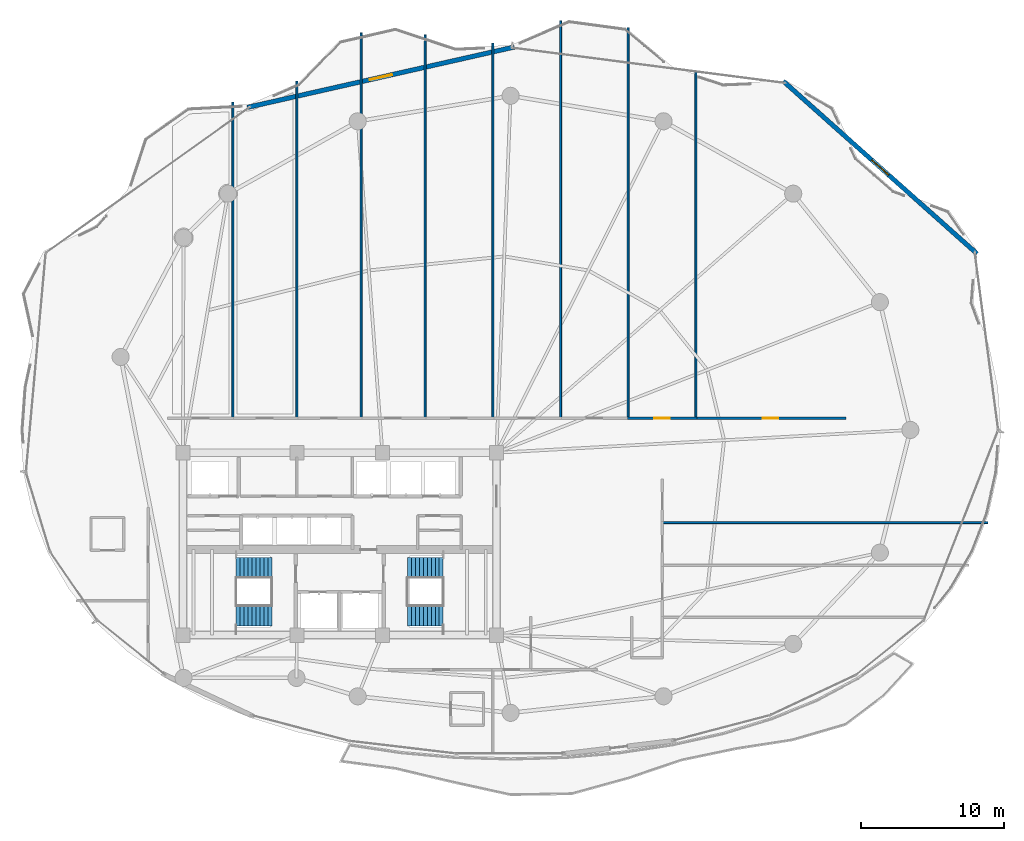
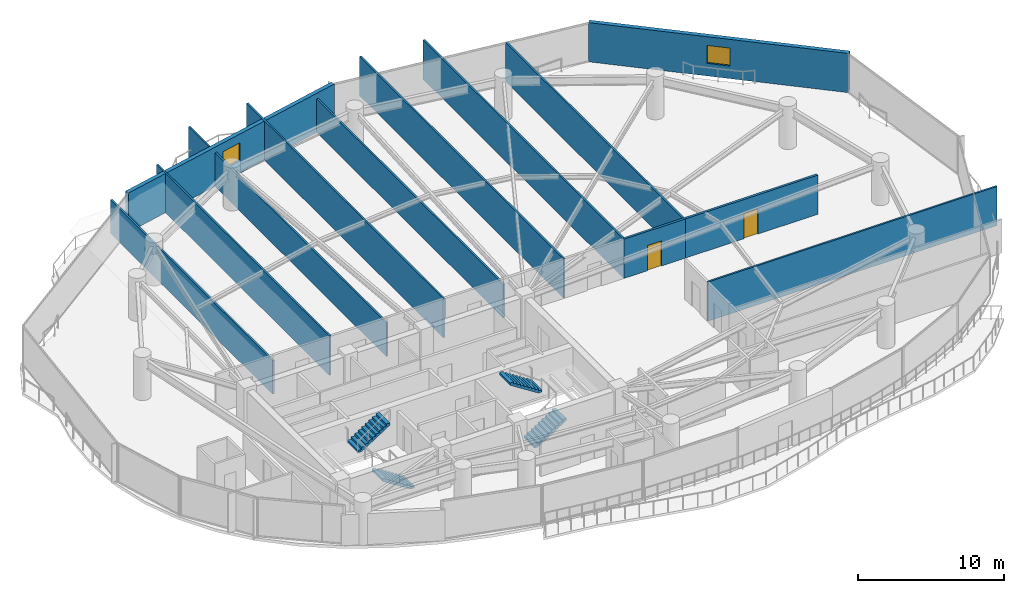
# One storey, part 28 of 33: 13 walls, 4 stair flights, 2 doors, 2 windows, 4 openings, 2 elements without a shape of their own.
"""IFC4 building model written with IfcOpenShell, lengths in metres."""

from ifc_helpers import new_model, si_unit, direction, frame, frame_2d, origin, place, context, subcontext, project, spatial, polyline, rectangle, outline, extrude, material, layer, layer_set, type_object, element, fill, aggregate, save


model = new_model("IFC4")

# Units and contexts
model_context = context("Model", 3, precision=1e-05, world=origin(), true_north=direction((0.0, 1.0)))
body_context = subcontext(model_context, "Body", "Model", "MODEL_VIEW")
ifc_project = project(units=[si_unit("LENGTHUNIT", "METRE"), si_unit("AREAUNIT", "SQUARE_METRE"), si_unit("VOLUMEUNIT", "CUBIC_METRE"), si_unit("PLANEANGLEUNIT", "RADIAN"), si_unit("MASSUNIT", "GRAM", prefix="KILO")], contexts=[model_context])

# Site, building, storey
site_placement = place(None, origin())
site = spatial("IfcSite", under=ifc_project, at=site_placement, CompositionType="ELEMENT")
building_placement = place(site_placement, origin())
building = spatial("IfcBuilding", under=site, at=building_placement, Name="Kazevale Care Tower and Concert Hall", CompositionType="ELEMENT")
storey_placement = place(building_placement, frame((0.0, 0.0, 178.199951171875)))
storey = spatial("IfcBuildingStorey", under=building, at=storey_placement, Name="L47", CompositionType="ELEMENT", Elevation=178.199951171875)

# Walls
ifc_material_1 = material(Name="Acoustic Gypsum on Steel Stud", Category="steel")
ifc_layer_1 = layer(ifc_material_1, 0.139892578125)
ifc_layer_set_1 = layer_set([ifc_layer_1], Name="Acoustic Gypsum on Steel Stud")
wall_type_1 = type_object("IfcWallType", Name="Acoustic Care & Suite Partition 140", PredefinedType="PARTITIONING", material=ifc_layer_set_1)
wall_1_placement = place(storey_placement, frame((25.5, 60.9990234375, 0.0), z_axis=(0.0, 0.0, 1.0), x_axis=(0.0, -1.0, 0.0)))
element("IfcWall", 1, at=wall_1_placement, inside=storey, type_object=wall_type_1, Name="wall:L47:auto_021", PredefinedType="PARTITIONING", context=body_context, shape_type="SweptSolid", body=[
    extrude(rectangle(XDim=22.2041015625, YDim=0.139892578125, at=frame_2d((11.10205078125, 0.0))), origin(), (0.0, 0.0, 1.0), 2.81005859375),
])
wall_2_placement = place(storey_placement, frame((30.0, 62.47802734375, 0.0), z_axis=(0.0, 0.0, 1.0), x_axis=(0.0, -1.0, 0.0)))
element("IfcWall", 2, at=wall_2_placement, inside=storey, type_object=wall_type_1, Name="wall:L47:auto_022", PredefinedType="PARTITIONING", context=body_context, shape_type="SweptSolid", body=[
    extrude(rectangle(XDim=23.68310546875, YDim=0.139892578125, at=frame_2d((11.841552734375, 0.0))), origin(), (0.0, 0.0, 1.0), 3.280029296875),
])
wall_3_placement = place(storey_placement, frame((34.5, 65.865966796875, 0.0), z_axis=(0.0, 0.0, 1.0), x_axis=(0.0, -1.0, 0.0)))
element("IfcWall", 3, at=wall_3_placement, inside=storey, type_object=wall_type_1, Name="wall:L47:auto_023", PredefinedType="PARTITIONING", context=body_context, shape_type="SweptSolid", body=[
    extrude(rectangle(XDim=27.071044921875, YDim=0.139892578125, at=frame_2d((13.53564453125, 0.0))), origin(), (0.0, 0.0, 1.0), 2.81005859375),
])
wall_4_placement = place(storey_placement, frame((39.0, 65.72802734375, 0.0), z_axis=(0.0, 0.0, 1.0), x_axis=(0.0, -1.0, 0.0)))
element("IfcWall", 4, at=wall_4_placement, inside=storey, type_object=wall_type_1, Name="wall:L47:auto_024", PredefinedType="PARTITIONING", context=body_context, shape_type="SweptSolid", body=[
    extrude(rectangle(XDim=26.93310546875, YDim=0.139892578125, at=frame_2d((13.466552734375, 0.0))), origin(), (0.0, 0.0, 1.0), 3.280029296875),
])
wall_5_placement = place(storey_placement, frame((43.75, 65.14501953125, 0.0), z_axis=(0.0, 0.0, 1.0), x_axis=(0.0, -1.0, 0.0)))
element("IfcWall", 5, at=wall_5_placement, inside=storey, type_object=wall_type_1, Name="wall:L47:auto_025", PredefinedType="PARTITIONING", context=body_context, shape_type="SweptSolid", body=[
    extrude(rectangle(XDim=26.35009765625, YDim=0.139892578125, at=frame_2d((13.175048828125, 0.0))), origin(), (0.0, 0.0, 1.0), 2.81005859375),
])
wall_6_placement = place(storey_placement, frame((48.5, 66.7041015625, 0.0), z_axis=(0.0, 0.0, 1.0), x_axis=(0.0, -1.0, 0.0)))
element("IfcWall", 6, at=wall_6_placement, inside=storey, type_object=wall_type_1, Name="wall:L47:auto_026", PredefinedType="PARTITIONING", context=body_context, shape_type="SweptSolid", body=[
    extrude(rectangle(XDim=27.9091796875, YDim=0.139892578125, at=frame_2d((13.95458984375, 0.0))), origin(), (0.0, 0.0, 1.0), 3.280029296875),
])
wall_7_placement = place(storey_placement, frame((53.25, 66.23388671875, 0.0), z_axis=(0.0, 0.0, 1.0), x_axis=(0.0, -1.0, 0.0)))
element("IfcWall", 7, at=wall_7_placement, inside=storey, type_object=wall_type_1, Name="wall:L47:auto_027", PredefinedType="PARTITIONING", context=body_context, shape_type="SweptSolid", body=[
    extrude(rectangle(XDim=27.43896484375, YDim=0.139892578125, at=frame_2d((13.719482421875, 0.0))), origin(), (0.0, 0.0, 1.0), 3.280029296875),
])
wall_8_placement = place(storey_placement, frame((58.0, 63.14306640625, 0.0), z_axis=(0.0, 0.0, 1.0), x_axis=(0.0, -1.0, 0.0)))
element("IfcWall", 8, at=wall_8_placement, inside=storey, type_object=wall_type_1, Name="wall:L47:auto_028", PredefinedType="PARTITIONING", context=body_context, shape_type="SweptSolid", body=[
    extrude(rectangle(XDim=24.34814453125, YDim=0.139892578125, at=frame_2d((12.174072265625, 0.0))), origin(), (0.0, 0.0, 1.0), 3.280029296875),
])
wall_9_placement = place(storey_placement, frame((55.6201171875, 31.5, 0.0), z_axis=(0.0, 0.0, 1.0), x_axis=(1.0, 0.0, 0.0)))
element("IfcWall", 9, at=wall_9_placement, inside=storey, type_object=wall_type_1, Name="wall:L47:auto_032", PredefinedType="PARTITIONING", context=body_context, shape_type="SweptSolid", body=[
    extrude(rectangle(XDim=22.869873046875, YDim=0.139892578125, at=frame_2d((11.43505859375, 0.0))), origin(), (0.0, 0.0, 1.0), 3.280029296875),
])

# Wall, opening, door
ifc_material_2 = material(Name="Concrete C40 and Acoustic Gypsum", Category="concrete")
ifc_layer_2 = layer(ifc_material_2, 0.179931640625)
ifc_layer_set_2 = layer_set([ifc_layer_2], Name="Concrete C40 and Acoustic Gypsum")
wall_type_2 = type_object("IfcWallType", Name="Fire-Rated Corridor & Party Wall 180", PredefinedType="PARTITIONING", material=ifc_layer_set_2)
wall_10_placement = place(storey_placement, frame((53.18505859375, 38.824951171875, 0.0), z_axis=(0.0, 0.0, 1.0), x_axis=(1.0, 0.0, 0.0)))
wall_10 = element("IfcWall", 10, at=wall_10_placement, inside=storey, type_object=wall_type_2, Name="wall:L47:auto_008", PredefinedType="PARTITIONING", context=body_context, shape_type="SweptSolid", body=[
    extrude(rectangle(XDim=4.8798828125, YDim=0.179931640625, at=frame_2d((2.43994140625, 0.0))), origin(), (0.0, 0.0, 1.0), 3.280029296875),
])
opening_1_placement = place(wall_10_placement, frame((1.889892578125, 0.0, 0.0)))
opening_1 = element("IfcOpeningElement", 11, at=opening_1_placement, cuts=wall_10, Name="Opening ID-1100", PredefinedType="OPENING", context=body_context, shape_type="SweptSolid", body=[
    extrude(rectangle(XDim=1.10009765625, YDim=2.10009765625, at=frame_2d((0.550048828125, 1.050048828125))), frame((0.0, 0.099853515625, 0.0), z_axis=(0.0, -1.0, 0.0), x_axis=(1.0, 0.0, 0.0)), (0.0, 0.0, 1.0), 0.199951171875),
])
ifc_material_3 = material(Name="Oak Timber Fire Leaf", Category="wood")
door_type = type_object("IfcDoorType", Name="Care Bedroom Accessible Door 1100x2100", OperationType="NOTDEFINED", PredefinedType="DOOR", material=ifc_material_3)
door_1_placement = place(opening_1_placement, origin())
door_1 = element("IfcDoor", 12, at=door_1_placement, inside=storey, type_object=door_type, Name="door:L47:ad_008", OperationType="SINGLE_SWING_LEFT", OverallHeight=2.10009765625, OverallWidth=1.10009765625, PredefinedType="DOOR", context=body_context, shape_type="SweptSolid", body=[
    extrude(rectangle(XDim=1.10009765625, YDim=2.10009765625, at=frame_2d((0.550048828125, 1.050048828125))), frame((0.0, 0.02490234375, 0.0), z_axis=(0.0, -1.0, 0.0), x_axis=(1.0, 0.0, 0.0)), (0.0, 0.0, 1.0), 0.050048828125),
])
fill(opening_1, door_1)

wall_11_placement = place(storey_placement, frame((57.93505859375, 38.824951171875, 0.0), z_axis=(0.0, 0.0, 1.0), x_axis=(1.0, 0.0, 0.0)))
wall_11 = element("IfcWall", 13, at=wall_11_placement, inside=storey, type_object=wall_type_2, Name="wall:L47:auto_009", PredefinedType="PARTITIONING", context=body_context, shape_type="SweptSolid", body=[
    extrude(rectangle(XDim=10.594970703125, YDim=0.179931640625, at=frame_2d((5.29736328125, 0.0))), origin(), (0.0, 0.0, 1.0), 3.280029296875),
])
opening_2_placement = place(wall_11_placement, frame((4.748046875, 0.0, 0.0)))
opening_2 = element("IfcOpeningElement", 14, at=opening_2_placement, cuts=wall_11, Name="Opening ID-1100", PredefinedType="OPENING", context=body_context, shape_type="SweptSolid", body=[
    extrude(rectangle(XDim=1.10009765625, YDim=2.10009765625, at=frame_2d((0.550048828125, 1.050048828125))), frame((0.0, 0.099853515625, 0.0), z_axis=(0.0, -1.0, 0.0), x_axis=(1.0, 0.0, 0.0)), (0.0, 0.0, 1.0), 0.199951171875),
])
door_2_placement = place(opening_2_placement, origin())
door_2 = element("IfcDoor", 15, at=door_2_placement, inside=storey, type_object=door_type, Name="door:L47:ad_009", OperationType="SINGLE_SWING_LEFT", OverallHeight=2.10009765625, OverallWidth=1.10009765625, PredefinedType="DOOR", context=body_context, shape_type="SweptSolid", body=[
    extrude(rectangle(XDim=1.10009765625, YDim=2.10009765625, at=frame_2d((0.550048828125, 1.050048828125))), frame((0.0, 0.02490234375, 0.0), z_axis=(0.0, -1.0, 0.0), x_axis=(1.0, 0.0, 0.0)), (0.0, 0.0, 1.0), 0.050048828125),
])
fill(opening_2, door_2)

# Wall, opening, window
ifc_material_4 = material(Name="Concrete C40 with Honed Limestone Cladding", Category="masonry")
ifc_layer_3 = layer(ifc_material_4, 0.320068359375)
ifc_layer_set_3 = layer_set([ifc_layer_3], Name="Concrete C40 with Honed Limestone Cladding")
wall_type_3 = type_object("IfcWallType", Name="Tower Honed Limestone Spandrel Wall 320", PredefinedType="STANDARD", material=ifc_layer_set_3)
wall_12_placement = place(storey_placement, frame((26.52490234375, 60.635009765625, 0.0), z_axis=(0.0, 0.0, 1.0), x_axis=(0.975368700272, 0.220580820855, 0.0)))
wall_12 = element("IfcWall", 16, at=wall_12_placement, inside=storey, type_object=wall_type_3, Name="wall:L47:cbox:15", PredefinedType="STANDARD", context=body_context, shape_type="SweptSolid", body=[
    extrude(rectangle(XDim=19.204345703125, YDim=0.320068359375, at=frame_2d((9.60205078125, 0.0))), origin(), (0.0, 0.0, 1.0), 3.280029296875),
])
opening_3_placement = place(wall_12_placement, frame((8.801025390625, 0.0, 1.050048828125)))
opening_3 = element("IfcOpeningElement", 17, at=opening_3_placement, cuts=wall_12, Name="Opening WIN-1", PredefinedType="OPENING", context=body_context, shape_type="SweptSolid", body=[
    extrude(rectangle(XDim=1.60009765625, YDim=1.5, at=frame_2d((0.800048828125, 0.75))), frame((0.0, 0.169921875, 0.0), z_axis=(0.0, -1.0, 0.0), x_axis=(1.0, 0.0, 0.0)), (0.0, 0.0, 1.0), 0.340087890625),
])
ifc_material_5 = material(Name="Low-E Laminated Glass", Category="glass")
window_type = type_object("IfcWindowType", Name="Convex Box Deep-Set Window 1600x1500", PartitioningType="DOUBLE_PANEL_VERTICAL", PredefinedType="WINDOW", material=ifc_material_5)
window_1_placement = place(opening_3_placement, origin())
window_1 = element("IfcWindow", 18, at=window_1_placement, inside=storey, type_object=window_type, Name="win:L47:cbox:15", OverallHeight=1.5, OverallWidth=1.60009765625, PartitioningType="SINGLE_PANEL", PredefinedType="WINDOW", context=body_context, shape_type="SweptSolid", body=[
    extrude(rectangle(XDim=1.60009765625, YDim=1.5, at=frame_2d((0.800048828125, 0.75))), frame((0.0, 0.030029296875, 0.0), z_axis=(0.0, -1.0, 0.0), x_axis=(1.0, 0.0, 0.0)), (0.0, 0.0, 1.0), 0.06005859375),
])
fill(opening_3, window_1)

wall_13_placement = place(storey_placement, frame((64.132080078125, 62.47705078125, 0.0), z_axis=(0.0, 0.0, 1.0), x_axis=(0.746726187299, -0.665131566836, 0.0)))
wall_13 = element("IfcWall", 19, at=wall_13_placement, inside=storey, type_object=wall_type_3, Name="wall:L47:cbox:17", PredefinedType="STANDARD", context=body_context, shape_type="SweptSolid", body=[
    extrude(rectangle(XDim=18.2099609375, YDim=0.320068359375, at=frame_2d((9.10498046875, 0.0))), origin(), (0.0, 0.0, 1.0), 3.280029296875),
])
opening_4_placement = place(wall_13_placement, frame((8.304931640625, 0.0, 1.050048828125)))
opening_4 = element("IfcOpeningElement", 20, at=opening_4_placement, cuts=wall_13, Name="Opening WIN-1", PredefinedType="OPENING", context=body_context, shape_type="SweptSolid", body=[
    extrude(rectangle(XDim=1.60009765625, YDim=1.5, at=frame_2d((0.800048828125, 0.75))), frame((0.0, 0.169921875, 0.0), z_axis=(0.0, -1.0, 0.0), x_axis=(1.0, 0.0, 0.0)), (0.0, 0.0, 1.0), 0.340087890625),
])
window_2_placement = place(opening_4_placement, origin())
window_2 = element("IfcWindow", 21, at=window_2_placement, inside=storey, type_object=window_type, Name="win:L47:cbox:17", OverallHeight=1.5, OverallWidth=1.60009765625, PartitioningType="SINGLE_PANEL", PredefinedType="WINDOW", context=body_context, shape_type="SweptSolid", body=[
    extrude(rectangle(XDim=1.60009765625, YDim=1.5, at=frame_2d((0.800048828125, 0.75))), frame((0.0, 0.030029296875, 0.0), z_axis=(0.0, -1.0, 0.0), x_axis=(1.0, 0.0, 0.0)), (0.0, 0.0, 1.0), 0.06005859375),
])
fill(opening_4, window_2)

# Stair, stair flights
ifc_material_6 = material(Name="Concrete C40", Category="concrete")
stair_type = type_object("IfcStairType", Name="Exit Stair Assembly ST1-Z2", PredefinedType="HALF_TURN_STAIR", material=ifc_material_6)
stair_1_placement = place(storey_placement, origin())
stair_1 = element("IfcStair", 22, at=stair_1_placement, inside=storey, type_object=stair_type, Name="stair:L47:ST1", PredefinedType="HALF_TURN_STAIR")
ifc_layer_4 = layer(ifc_material_6, 0.159912109375)
ifc_layer_set_4 = layer_set([ifc_layer_4], Name="Concrete C40")
stair_flight_type = type_object("IfcStairFlightType", Name="Exit Stair Flight ST1-Z2", PredefinedType="STRAIGHT", material=ifc_layer_set_4)
stair_flight_1_placement = place(storey_placement, frame((28.25, 24.97998046875, 0.0), z_axis=(0.0, 0.0, 1.0), x_axis=(-1.0, 0.0, 0.0)))
stair_flight_1 = element("IfcStairFlight", 23, at=stair_flight_1_placement, type_object=stair_flight_type, Name="ST1-Z2 flight 1", NumberOfRisers=10, NumberOfTreads=9, PredefinedType="STRAIGHT", RiserHeight=0.18, TreadLength=0.28, context=body_context, shape_type="SweptSolid", body=[
    extrude(outline(polyline([(0.0, 0.0), (0.0, 0.179931640625), (0.280029296875, 0.179931640625), (0.280029296875, 0.360107421875), (0.56005859375, 0.360107421875), (0.56005859375, 0.5400390625), (0.840087890625, 0.5400390625), (0.840087890625, 0.719970703125), (1.1201171875, 0.719970703125), (1.1201171875, 0.89990234375), (1.39990234375, 0.89990234375), (1.39990234375, 1.080078125), (1.679931640625, 1.080078125), (1.679931640625, 1.260009765625), (1.9599609375, 1.260009765625), (1.9599609375, 1.43994140625), (2.239990234375, 1.43994140625), (2.239990234375, 1.6201171875), (2.52001953125, 1.6201171875), (2.52001953125, 1.800048828125), (2.52001953125, 1.429931640625), (0.295654296875, 0.0), (0.0, 0.0)])), frame((0.0, 0.72998046875, 0.0), z_axis=(0.0, -1.0, 0.0), x_axis=(1.0, 0.0, 0.0)), (0.0, 0.0, 1.0), 1.4599609375),
])
stair_flight_2_placement = place(storey_placement, frame((25.72998046875, 28.320068359375, 1.800048828125), z_axis=(0.0, 0.0, 1.0), x_axis=(1.0, 0.0, 0.0)))
stair_flight_2 = element("IfcStairFlight", 24, at=stair_flight_2_placement, type_object=stair_flight_type, Name="ST1-Z2 flight 2", NumberOfRisers=10, NumberOfTreads=9, PredefinedType="STRAIGHT", RiserHeight=0.18, TreadLength=0.28, context=body_context, shape_type="SweptSolid", body=[
    extrude(outline(polyline([(0.0, 0.0), (0.0, 0.179931640625), (0.280029296875, 0.179931640625), (0.280029296875, 0.360107421875), (0.56005859375, 0.360107421875), (0.56005859375, 0.5400390625), (0.840087890625, 0.5400390625), (0.840087890625, 0.719970703125), (1.1201171875, 0.719970703125), (1.1201171875, 0.89990234375), (1.39990234375, 0.89990234375), (1.39990234375, 1.080078125), (1.679931640625, 1.080078125), (1.679931640625, 1.260009765625), (1.9599609375, 1.260009765625), (1.9599609375, 1.43994140625), (2.239990234375, 1.43994140625), (2.239990234375, 1.6201171875), (2.52001953125, 1.6201171875), (2.52001953125, 1.800048828125), (2.52001953125, 1.429931640625), (0.295654296875, 0.0), (0.0, 0.0)])), frame((0.0, 0.72998046875, 0.0), z_axis=(0.0, -1.0, 0.0), x_axis=(1.0, 0.0, 0.0)), (0.0, 0.0, 1.0), 1.4599609375),
])
aggregate(stair_1, [stair_flight_1, stair_flight_2])

stair_2_placement = place(storey_placement, origin())
stair_2 = element("IfcStair", 25, at=stair_2_placement, inside=storey, type_object=stair_type, Name="stair:L47:ST2", PredefinedType="HALF_TURN_STAIR")
stair_flight_3_placement = place(storey_placement, frame((37.75, 24.97998046875, 0.0), z_axis=(0.0, 0.0, 1.0), x_axis=(1.0, 0.0, 0.0)))
stair_flight_3 = element("IfcStairFlight", 26, at=stair_flight_3_placement, type_object=stair_flight_type, Name="ST1-Z2 flight 1", NumberOfRisers=10, NumberOfTreads=9, PredefinedType="STRAIGHT", RiserHeight=0.18, TreadLength=0.28, context=body_context, shape_type="SweptSolid", body=[
    extrude(outline(polyline([(0.0, 0.0), (0.0, 0.179931640625), (0.280029296875, 0.179931640625), (0.280029296875, 0.360107421875), (0.56005859375, 0.360107421875), (0.56005859375, 0.5400390625), (0.840087890625, 0.5400390625), (0.840087890625, 0.719970703125), (1.1201171875, 0.719970703125), (1.1201171875, 0.89990234375), (1.39990234375, 0.89990234375), (1.39990234375, 1.080078125), (1.679931640625, 1.080078125), (1.679931640625, 1.260009765625), (1.9599609375, 1.260009765625), (1.9599609375, 1.43994140625), (2.239990234375, 1.43994140625), (2.239990234375, 1.6201171875), (2.52001953125, 1.6201171875), (2.52001953125, 1.800048828125), (2.52001953125, 1.429931640625), (0.295654296875, 0.0), (0.0, 0.0)])), frame((0.0, 0.72998046875, 0.0), z_axis=(0.0, -1.0, 0.0), x_axis=(1.0, 0.0, 0.0)), (0.0, 0.0, 1.0), 1.4599609375),
])
stair_flight_4_placement = place(storey_placement, frame((40.27001953125, 28.320068359375, 1.800048828125), z_axis=(0.0, 0.0, 1.0), x_axis=(-1.0, 0.0, 0.0)))
stair_flight_4 = element("IfcStairFlight", 27, at=stair_flight_4_placement, type_object=stair_flight_type, Name="ST1-Z2 flight 2", NumberOfRisers=10, NumberOfTreads=9, PredefinedType="STRAIGHT", RiserHeight=0.18, TreadLength=0.28, context=body_context, shape_type="SweptSolid", body=[
    extrude(outline(polyline([(0.0, 0.0), (0.0, 0.179931640625), (0.280029296875, 0.179931640625), (0.280029296875, 0.360107421875), (0.56005859375, 0.360107421875), (0.56005859375, 0.5400390625), (0.840087890625, 0.5400390625), (0.840087890625, 0.719970703125), (1.1201171875, 0.719970703125), (1.1201171875, 0.89990234375), (1.39990234375, 0.89990234375), (1.39990234375, 1.080078125), (1.679931640625, 1.080078125), (1.679931640625, 1.260009765625), (1.9599609375, 1.260009765625), (1.9599609375, 1.43994140625), (2.239990234375, 1.43994140625), (2.239990234375, 1.6201171875), (2.52001953125, 1.6201171875), (2.52001953125, 1.800048828125), (2.52001953125, 1.429931640625), (0.295654296875, 0.0), (0.0, 0.0)])), frame((0.0, 0.72998046875, 0.0), z_axis=(0.0, -1.0, 0.0), x_axis=(1.0, 0.0, 0.0)), (0.0, 0.0, 1.0), 1.4599609375),
])
aggregate(stair_2, [stair_flight_3, stair_flight_4])

save(model, "model.ifc")
